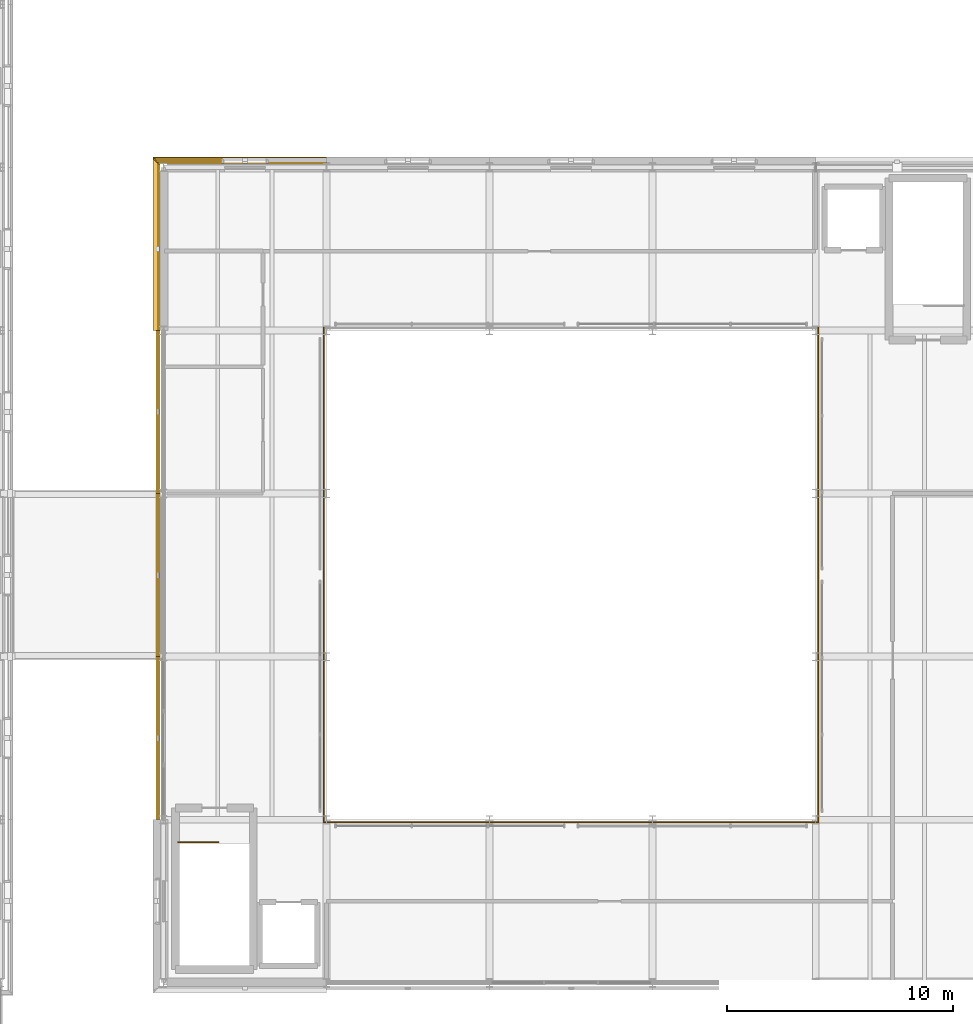
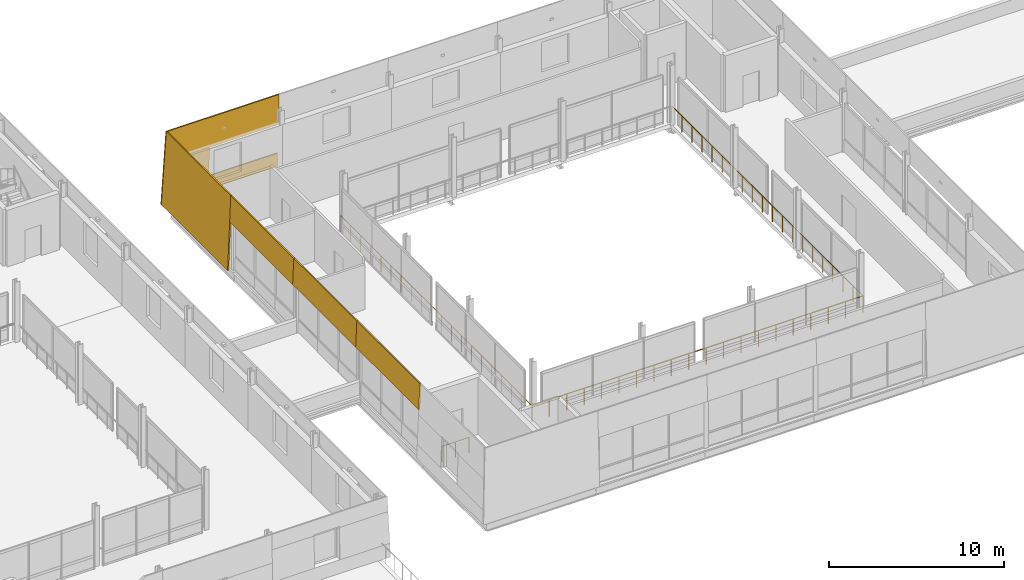
# One storey, part 86 of 91: 7 coverings, 4 railings.
"""IFC4 building model written with IfcOpenShell, lengths in metres."""

import ifcopenshell
import ifcopenshell.guid

model = None  # the IFC model being written
_history = None  # IfcOwnerHistory: only IFC2X3 demands one
_inside = {}  # id of a spatial element -> (the spatial element, [elements in it])
_under = {}  # id of a project, library or spatial element -> (it, [spatial elements below it])
_declared = {}  # id of a project -> (the project, [libraries it declares])
_typed = {}  # id of a type object -> (the type object, [elements of that type])
_made_of = {}  # id of a material, layer set ... -> (it, [elements and type objects made of it])


def new_model(schema):
    """Start an empty IFC model of exactly this schema.

    Asked for "IFC4X3", IfcOpenShell would pick the latest addendum, in which some entities
    have other attributes; the version numbers below select the first issue.
    IFC2X3 requires an IfcOwnerHistory on every rooted entity: one is made here for all.
    """
    global model, _history
    if schema == "IFC4X3":
        model = ifcopenshell.file(schema_version=(4, 3, 0, 0))
    else:
        model = ifcopenshell.file(schema=schema)
    _inside.clear()
    _under.clear()
    _declared.clear()
    _typed.clear()
    _made_of.clear()
    _history = None
    if model.schema == "IFC2X3":
        org = make("IfcOrganization", Name="unknown")
        user = make(
            "IfcPersonAndOrganization",
            ThePerson=make("IfcPerson", FamilyName="unknown"),
            TheOrganization=org,
        )
        app = make(
            "IfcApplication",
            ApplicationDeveloper=org,
            Version="unknown",
            ApplicationFullName="unknown",
            ApplicationIdentifier="unknown",
        )
        _history = make(
            "IfcOwnerHistory",
            OwningUser=user,
            OwningApplication=app,
            ChangeAction="ADDED",
            CreationDate=0,
        )
    return model


def make(cls, **values):
    """One entity of the class cls with the attributes given. An attribute that is None is left unset."""
    return model.create_entity(
        cls, **{name: value for name, value in values.items() if value is not None}
    )


def rooted(cls, **values):
    """An entity with a GlobalId (a new one), such as an element, a storey or a relation."""
    return make(cls, GlobalId=ifcopenshell.guid.new(), OwnerHistory=_history, **values)


def si_unit(unit_type, name, prefix=None):
    """IfcSIUnit, for example si_unit("LENGTHUNIT", "METRE", prefix="MILLI")."""
    return make("IfcSIUnit", UnitType=unit_type, Prefix=prefix, Name=name)


def assignment(units):
    """IfcUnitAssignment: the units of a project."""
    return None if units is None else make("IfcUnitAssignment", Units=units)


def point(xyz):
    """IfcCartesianPoint."""
    return None if xyz is None else make("IfcCartesianPoint", Coordinates=xyz)


def direction(xyz):
    """IfcDirection."""
    return None if xyz is None else make("IfcDirection", DirectionRatios=xyz)


def frame(location, z_axis=None, x_axis=None):
    """IfcAxis2Placement3D, a coordinate frame: its origin and axes. An axis left out is left unset."""
    return make(
        "IfcAxis2Placement3D",
        Location=point(location),
        Axis=direction(z_axis),
        RefDirection=direction(x_axis),
    )


def frame_2d(location, x_axis=None):
    """IfcAxis2Placement2D, a coordinate frame in the plane: its origin and x axis."""
    return make(
        "IfcAxis2Placement2D", Location=point(location), RefDirection=direction(x_axis)
    )


def origin():
    """The frame at (0, 0, 0) with its axes left unset."""
    return frame((0.0, 0.0, 0.0))


def origin_2d():
    """The frame at (0, 0) in the plane with its x axis left unset."""
    return frame_2d((0.0, 0.0))


def place(relative_to, where):
    """IfcLocalPlacement: puts the frame where relative to a parent placement (None: the world)."""
    return make(
        "IfcLocalPlacement", PlacementRelTo=relative_to, RelativePlacement=where
    )


def context(
    kind, dimensions, precision=None, world=None, true_north=None, identifier=None
):
    """IfcGeometricRepresentationContext, for example the 3D "Model" context."""
    return make(
        "IfcGeometricRepresentationContext",
        ContextIdentifier=identifier,
        ContextType=kind,
        CoordinateSpaceDimension=dimensions,
        Precision=precision,
        WorldCoordinateSystem=world,
        TrueNorth=true_north,
    )


def subcontext(parent, identifier, kind, view, scale=None):
    """IfcGeometricRepresentationSubContext, for example "Body" below "Model"."""
    return make(
        "IfcGeometricRepresentationSubContext",
        ContextIdentifier=identifier,
        ContextType=kind,
        ParentContext=parent,
        TargetScale=scale,
        TargetView=view,
    )


def project(units=None, contexts=None):
    """IfcProject with its units and contexts."""
    return rooted(
        "IfcProject",
        Name="project",
        RepresentationContexts=contexts,
        UnitsInContext=assignment(units),
    )


def spatial(cls, under=None, at=None, **own):
    """A site, building, storey or space (cls), placed at a placement, below another one or the project."""
    s = rooted(cls, ObjectPlacement=at, **own)
    if under is not None:
        _under.setdefault(under.id(), (under, []))[1].append(s)
    return s


def polyline(points):
    """IfcPolyline through the points."""
    return make("IfcPolyline", Points=[point(p) for p in points])


def profile(cls, at=None, kind="AREA", **sizes):
    """A parametric profile (cls). Its sizes go by their IFC names, for example OverallWidth=200.0."""
    return make(cls, ProfileType=kind, Position=at, **sizes)


def circle(**sizes):
    """IfcCircleProfileDef."""
    return profile("IfcCircleProfileDef", **sizes)


def outline(outer, holes=None, kind="AREA"):
    """IfcArbitraryClosedProfileDef: a profile drawn as a closed curve; with holes, ...WithVoids."""
    if holes is None:
        return make("IfcArbitraryClosedProfileDef", ProfileType=kind, OuterCurve=outer)
    return make(
        "IfcArbitraryProfileDefWithVoids",
        ProfileType=kind,
        OuterCurve=outer,
        InnerCurves=holes,
    )


def extrude(swept, where, along, depth):
    """IfcExtrudedAreaSolid: the profile swept, set in the frame where, extruded along a direction by depth."""
    return make(
        "IfcExtrudedAreaSolid",
        SweptArea=swept,
        Position=where,
        ExtrudedDirection=direction(along),
        Depth=depth,
    )


def shape(context_of_items, identifier, shape_type, items):
    """IfcShapeRepresentation: the items that make up one representation, for example the "Body"."""
    return make(
        "IfcShapeRepresentation",
        ContextOfItems=context_of_items,
        RepresentationIdentifier=identifier,
        RepresentationType=shape_type,
        Items=items,
    )


def material(Name=None, Category=None):
    """IfcMaterial."""
    return make("IfcMaterial", Name=Name, Category=Category)


def layer(
    of_material, thickness, ventilated=None, Name=None, Category=None, Priority=None
):
    """IfcMaterialLayer: one layer of a wall or slab, of a material (None: an air gap)."""
    return make(
        "IfcMaterialLayer",
        Material=of_material,
        LayerThickness=thickness,
        IsVentilated=ventilated,
        Name=Name,
        Category=Category,
        Priority=Priority,
    )


def layer_set(layers, Name=None):
    """IfcMaterialLayerSet."""
    return make("IfcMaterialLayerSet", MaterialLayers=layers, LayerSetName=Name)


def made_of(thing, what):
    """Note that an element or type object is made of a material, layer set ...; save() writes the relation."""
    if what is not None:
        _made_of.setdefault(what.id(), (what, []))[1].append(thing)
    return thing


def type_object(cls, material=None, **own):
    """A type object (cls), such as IfcWallType, which elements share."""
    return made_of(rooted(cls, **own), material)


def element(
    cls,
    number,
    at=None,
    inside=None,
    cuts=None,
    type_object=None,
    material=None,
    context=None,
    identifier="Body",
    shape_type=None,
    held_by="IfcProductDefinitionShape",
    body=None,
    shapes=None,
    **own,
):
    """One element of the class cls, such as IfcWall. Its Tag is "e" and its number.

    at: its placement. inside: the storey or other place that contains it. cuts: it is an
    opening in that element (IfcRelVoidsElement). A single representation is given by context,
    identifier, shape_type and body (its items); several are given by shapes. held_by: the class
    of the entity that holds the representations. save() writes the other relations.
    """
    e = rooted(cls, Tag="e%d" % number, ObjectPlacement=at, **own)
    if body is not None:
        shapes = [shape(context, identifier, shape_type, body)]
    if shapes is not None:
        e.Representation = make(held_by, Representations=shapes)
    if inside is not None:
        _inside.setdefault(inside.id(), (inside, []))[1].append(e)
    if cuts is not None:
        rooted(
            "IfcRelVoidsElement", RelatingBuildingElement=cuts, RelatedOpeningElement=e
        )
    if type_object is not None:
        _typed.setdefault(type_object.id(), (type_object, []))[1].append(e)
    return made_of(e, material)


def aggregate(whole, parts):
    """IfcRelAggregates: a whole, such as a stair, and the parts it consists of."""
    return rooted("IfcRelAggregates", RelatingObject=whole, RelatedObjects=parts)


def save(model, path):
    """Write the relations noted so far, then the file.

    IfcRelAggregates (storeys below a building ...), IfcRelContainedInSpatialStructure (elements
    in a storey), IfcRelDefinesByType, IfcRelAssociatesMaterial and IfcRelDeclares: one each for
    every whole, place, type object, material and project.
    """
    for whole, parts in _under.values():
        aggregate(whole, parts)
    for where, things in _inside.values():
        rooted(
            "IfcRelContainedInSpatialStructure",
            RelatedElements=things,
            RelatingStructure=where,
        )
    for kind, things in _typed.values():
        rooted("IfcRelDefinesByType", RelatedObjects=things, RelatingType=kind)
    for what, things in _made_of.values():
        rooted("IfcRelAssociatesMaterial", RelatedObjects=things, RelatingMaterial=what)
    for by, libraries in _declared.values():
        rooted("IfcRelDeclares", RelatingContext=by, RelatedDefinitions=libraries)
    model.write(path)


model = new_model("IFC4")

# Units and contexts
model_context = context("Model", 3, precision=1e-05, world=origin(), true_north=direction((0.0, 1.0)))
body_context = subcontext(model_context, "Body", "Model", "MODEL_VIEW")
ifc_project = project(units=[si_unit("LENGTHUNIT", "METRE"), si_unit("AREAUNIT", "SQUARE_METRE"), si_unit("VOLUMEUNIT", "CUBIC_METRE"), si_unit("PLANEANGLEUNIT", "RADIAN"), si_unit("MASSUNIT", "GRAM", prefix="KILO")], contexts=[model_context])

# Site, building, storey
site_placement = place(None, origin())
site = spatial("IfcSite", under=ifc_project, at=site_placement, CompositionType="ELEMENT")
building_placement = place(site_placement, origin())
building = spatial("IfcBuilding", under=site, at=building_placement, Name="Narikvali Park Central Library", CompositionType="ELEMENT")
storey_placement = place(building_placement, frame((0.0, 0.0, 14.39990234375)))
storey = spatial("IfcBuildingStorey", under=building, at=storey_placement, Name="L03", CompositionType="ELEMENT", Elevation=14.39990234375)

# Railings
ifc_material_1 = material(Name="Laminated Tempered Glass and Stainless Steel", Category="steel")
ifc_layer_1 = layer(ifc_material_1, 0.06005859375, Name="Laminated Tempered Glass and Stainless Steel")
ifc_layer_set_1 = layer_set([ifc_layer_1], Name="Laminated Tempered Glass and Stainless Steel")
railing_type_1 = type_object("IfcRailingType", Name="Atrium Void Tempered Glass Guardrail 1150", PredefinedType="GUARDRAIL", material=ifc_layer_set_1)
railing_1_placement = place(storey_placement, frame((71.8798828125, 64.679931640625, 0.0)))
element("IfcRailing", 1, at=railing_1_placement, inside=storey, type_object=railing_type_1, Name="V1 L03 Void Edge Guardrail S", PredefinedType="GUARDRAIL", context=body_context, shape_type="SweptSolid", body=[
    extrude(circle(Radius=0.02392578125, at=origin_2d()), frame((0.0, 0.0, 1.1259765625), z_axis=(1.0, 0.0, 0.0), x_axis=(0.0, 1.0, 0.0)), (0.0, 0.0, 1.0), 21.840087890625),
    extrude(circle(Radius=0.02099609375, at=origin_2d()), origin(), (0.0, 0.0, 1.0), 1.101806640625),
    extrude(circle(Radius=0.02099609375, at=origin_2d()), frame((1.1494140625, 0.0, 0.0)), (0.0, 0.0, 1.0), 1.101806640625),
    extrude(circle(Radius=0.02099609375, at=origin_2d()), frame((2.299072265625, 0.0, 0.0)), (0.0, 0.0, 1.0), 1.101806640625),
    extrude(circle(Radius=0.02099609375, at=origin_2d()), frame((3.448486328125, 0.0, 0.0)), (0.0, 0.0, 1.0), 1.101806640625),
    extrude(circle(Radius=0.02099609375, at=origin_2d()), frame((4.597900390625, 0.0, 0.0)), (0.0, 0.0, 1.0), 1.101806640625),
    extrude(circle(Radius=0.02099609375, at=origin_2d()), frame((5.747314453125, 0.0, 0.0)), (0.0, 0.0, 1.0), 1.101806640625),
    extrude(circle(Radius=0.02099609375, at=origin_2d()), frame((6.89697265625, 0.0, 0.0)), (0.0, 0.0, 1.0), 1.101806640625),
    extrude(circle(Radius=0.02099609375, at=origin_2d()), frame((8.04638671875, 0.0, 0.0)), (0.0, 0.0, 1.0), 1.101806640625),
    extrude(circle(Radius=0.02099609375, at=origin_2d()), frame((9.19580078125, 0.0, 0.0)), (0.0, 0.0, 1.0), 1.101806640625),
    extrude(circle(Radius=0.02099609375, at=origin_2d()), frame((10.34521484375, 0.0, 0.0)), (0.0, 0.0, 1.0), 1.101806640625),
    extrude(circle(Radius=0.02099609375, at=origin_2d()), frame((11.494873046875, 0.0, 0.0)), (0.0, 0.0, 1.0), 1.101806640625),
    extrude(circle(Radius=0.02099609375, at=origin_2d()), frame((12.644287109375, 0.0, 0.0)), (0.0, 0.0, 1.0), 1.101806640625),
    extrude(circle(Radius=0.02099609375, at=origin_2d()), frame((13.793701171875, 0.0, 0.0)), (0.0, 0.0, 1.0), 1.101806640625),
    extrude(circle(Radius=0.02099609375, at=origin_2d()), frame((14.943115234375, 0.0, 0.0)), (0.0, 0.0, 1.0), 1.101806640625),
    extrude(circle(Radius=0.02099609375, at=origin_2d()), frame((16.0927734375, 0.0, 0.0)), (0.0, 0.0, 1.0), 1.101806640625),
    extrude(circle(Radius=0.02099609375, at=origin_2d()), frame((17.2421875, 0.0, 0.0)), (0.0, 0.0, 1.0), 1.101806640625),
    extrude(circle(Radius=0.02099609375, at=origin_2d()), frame((18.3916015625, 0.0, 0.0)), (0.0, 0.0, 1.0), 1.101806640625),
    extrude(circle(Radius=0.02099609375, at=origin_2d()), frame((19.541015625, 0.0, 0.0)), (0.0, 0.0, 1.0), 1.101806640625),
    extrude(circle(Radius=0.02099609375, at=origin_2d()), frame((20.690673828125, 0.0, 0.0)), (0.0, 0.0, 1.0), 1.101806640625),
    extrude(circle(Radius=0.02099609375, at=origin_2d()), frame((21.840087890625, 0.0, 0.0)), (0.0, 0.0, 1.0), 1.101806640625),
])
railing_2_placement = place(storey_placement, frame((93.719970703125, 64.679931640625, 0.0)))
element("IfcRailing", 2, at=railing_2_placement, inside=storey, type_object=railing_type_1, Name="V1 L03 Void Edge Guardrail E", PredefinedType="GUARDRAIL", context=body_context, shape_type="SweptSolid", body=[
    extrude(circle(Radius=0.02392578125, at=origin_2d()), frame((0.0, 0.0, 1.1259765625), z_axis=(0.0, 1.0, 0.0), x_axis=(-1.0, 0.0, 0.0)), (0.0, 0.0, 1.0), 21.840087890625),
    extrude(circle(Radius=0.02099609375, at=origin_2d()), origin(), (0.0, 0.0, 1.0), 1.101806640625),
    extrude(circle(Radius=0.02099609375, at=origin_2d()), frame((0.0, 1.1494140625, 0.0)), (0.0, 0.0, 1.0), 1.101806640625),
    extrude(circle(Radius=0.02099609375, at=origin_2d()), frame((0.0, 2.299072265625, 0.0)), (0.0, 0.0, 1.0), 1.101806640625),
    extrude(circle(Radius=0.02099609375, at=origin_2d()), frame((0.0, 3.448486328125, 0.0)), (0.0, 0.0, 1.0), 1.101806640625),
    extrude(circle(Radius=0.02099609375, at=origin_2d()), frame((0.0, 4.597900390625, 0.0)), (0.0, 0.0, 1.0), 1.101806640625),
    extrude(circle(Radius=0.02099609375, at=origin_2d()), frame((0.0, 5.747314453125, 0.0)), (0.0, 0.0, 1.0), 1.101806640625),
    extrude(circle(Radius=0.02099609375, at=origin_2d()), frame((0.0, 6.89697265625, 0.0)), (0.0, 0.0, 1.0), 1.101806640625),
    extrude(circle(Radius=0.02099609375, at=origin_2d()), frame((0.0, 8.04638671875, 0.0)), (0.0, 0.0, 1.0), 1.101806640625),
    extrude(circle(Radius=0.02099609375, at=origin_2d()), frame((0.0, 9.19580078125, 0.0)), (0.0, 0.0, 1.0), 1.101806640625),
    extrude(circle(Radius=0.02099609375, at=origin_2d()), frame((0.0, 10.34521484375, 0.0)), (0.0, 0.0, 1.0), 1.101806640625),
    extrude(circle(Radius=0.02099609375, at=origin_2d()), frame((0.0, 11.494873046875, 0.0)), (0.0, 0.0, 1.0), 1.101806640625),
    extrude(circle(Radius=0.02099609375, at=origin_2d()), frame((0.0, 12.644287109375, 0.0)), (0.0, 0.0, 1.0), 1.101806640625),
    extrude(circle(Radius=0.02099609375, at=origin_2d()), frame((0.0, 13.793701171875, 0.0)), (0.0, 0.0, 1.0), 1.101806640625),
    extrude(circle(Radius=0.02099609375, at=origin_2d()), frame((0.0, 14.943115234375, 0.0)), (0.0, 0.0, 1.0), 1.101806640625),
    extrude(circle(Radius=0.02099609375, at=origin_2d()), frame((0.0, 16.0927734375, 0.0)), (0.0, 0.0, 1.0), 1.101806640625),
    extrude(circle(Radius=0.02099609375, at=origin_2d()), frame((0.0, 17.2421875, 0.0)), (0.0, 0.0, 1.0), 1.101806640625),
    extrude(circle(Radius=0.02099609375, at=origin_2d()), frame((0.0, 18.3916015625, 0.0)), (0.0, 0.0, 1.0), 1.101806640625),
    extrude(circle(Radius=0.02099609375, at=origin_2d()), frame((0.0, 19.541015625, 0.0)), (0.0, 0.0, 1.0), 1.101806640625),
    extrude(circle(Radius=0.02099609375, at=origin_2d()), frame((0.0, 20.690673828125, 0.0)), (0.0, 0.0, 1.0), 1.101806640625),
    extrude(circle(Radius=0.02099609375, at=origin_2d()), frame((0.0, 21.840087890625, 0.0)), (0.0, 0.0, 1.0), 1.101806640625),
])
railing_3_placement = place(storey_placement, frame((71.8798828125, 86.52001953125, 0.0)))
element("IfcRailing", 3, at=railing_3_placement, inside=storey, type_object=railing_type_1, Name="V1 L03 Void Edge Guardrail W", PredefinedType="GUARDRAIL", context=body_context, shape_type="SweptSolid", body=[
    extrude(circle(Radius=0.02392578125, at=origin_2d()), frame((0.0, 0.0, 1.1259765625), z_axis=(0.0, -1.0, 0.0), x_axis=(1.0, 0.0, 0.0)), (0.0, 0.0, 1.0), 21.840087890625),
    extrude(circle(Radius=0.02099609375, at=origin_2d()), origin(), (0.0, 0.0, 1.0), 1.101806640625),
    extrude(circle(Radius=0.02099609375, at=origin_2d()), frame((0.0, -1.1494140625, 0.0)), (0.0, 0.0, 1.0), 1.101806640625),
    extrude(circle(Radius=0.02099609375, at=origin_2d()), frame((0.0, -2.299072265625, 0.0)), (0.0, 0.0, 1.0), 1.101806640625),
    extrude(circle(Radius=0.02099609375, at=origin_2d()), frame((0.0, -3.448486328125, 0.0)), (0.0, 0.0, 1.0), 1.101806640625),
    extrude(circle(Radius=0.02099609375, at=origin_2d()), frame((0.0, -4.597900390625, 0.0)), (0.0, 0.0, 1.0), 1.101806640625),
    extrude(circle(Radius=0.02099609375, at=origin_2d()), frame((0.0, -5.747314453125, 0.0)), (0.0, 0.0, 1.0), 1.101806640625),
    extrude(circle(Radius=0.02099609375, at=origin_2d()), frame((0.0, -6.89697265625, 0.0)), (0.0, 0.0, 1.0), 1.101806640625),
    extrude(circle(Radius=0.02099609375, at=origin_2d()), frame((0.0, -8.04638671875, 0.0)), (0.0, 0.0, 1.0), 1.101806640625),
    extrude(circle(Radius=0.02099609375, at=origin_2d()), frame((0.0, -9.19580078125, 0.0)), (0.0, 0.0, 1.0), 1.101806640625),
    extrude(circle(Radius=0.02099609375, at=origin_2d()), frame((0.0, -10.34521484375, 0.0)), (0.0, 0.0, 1.0), 1.101806640625),
    extrude(circle(Radius=0.02099609375, at=origin_2d()), frame((0.0, -11.494873046875, 0.0)), (0.0, 0.0, 1.0), 1.101806640625),
    extrude(circle(Radius=0.02099609375, at=origin_2d()), frame((0.0, -12.644287109375, 0.0)), (0.0, 0.0, 1.0), 1.101806640625),
    extrude(circle(Radius=0.02099609375, at=origin_2d()), frame((0.0, -13.793701171875, 0.0)), (0.0, 0.0, 1.0), 1.101806640625),
    extrude(circle(Radius=0.02099609375, at=origin_2d()), frame((0.0, -14.943115234375, 0.0)), (0.0, 0.0, 1.0), 1.101806640625),
    extrude(circle(Radius=0.02099609375, at=origin_2d()), frame((0.0, -16.0927734375, 0.0)), (0.0, 0.0, 1.0), 1.101806640625),
    extrude(circle(Radius=0.02099609375, at=origin_2d()), frame((0.0, -17.2421875, 0.0)), (0.0, 0.0, 1.0), 1.101806640625),
    extrude(circle(Radius=0.02099609375, at=origin_2d()), frame((0.0, -18.3916015625, 0.0)), (0.0, 0.0, 1.0), 1.101806640625),
    extrude(circle(Radius=0.02099609375, at=origin_2d()), frame((0.0, -19.541015625, 0.0)), (0.0, 0.0, 1.0), 1.101806640625),
    extrude(circle(Radius=0.02099609375, at=origin_2d()), frame((0.0, -20.690673828125, 0.0)), (0.0, 0.0, 1.0), 1.101806640625),
    extrude(circle(Radius=0.02099609375, at=origin_2d()), frame((0.0, -21.840087890625, 0.0)), (0.0, 0.0, 1.0), 1.101806640625),
])

# Coverings
ifc_material_2 = material(Name="White Honed Limestone Cladding", Category="masonry")
ifc_layer_2 = layer(ifc_material_2, 0.0849609375, Name="White Honed Limestone Cladding")
ifc_layer_set_2 = layer_set([ifc_layer_2], Name="White Honed Limestone Cladding")
covering_type = type_object("IfcCoveringType", Name="Battered White Limestone Facade Cladding Panel", PredefinedType="CLADDING", material=ifc_layer_set_2)
covering_1_placement = place(storey_placement, frame((72.0, 94.05078125, 0.0), z_axis=(0.0, 0.999166557991, 0.040818983227), x_axis=(-1.0, 0.0, 0.0)))
element("IfcCovering", 4, at=covering_1_placement, inside=storey, type_object=covering_type, Name="V1 L03 N Battered Limestone Spandrel B05", PredefinedType="CLADDING", context=body_context, shape_type="SweptSolid", body=[
    extrude(outline(polyline([(0.0, 0.0), (7.650634765625, 0.0), (7.61181640625, 0.9509879057703833), (0.0, 0.9509879057703833), (0.0, 0.0)])), origin(), (0.0, 0.0, -1.0), 0.0849609375),
])
covering_2_placement = place(storey_placement, frame((72.0, 93.927978515625, 3.0), z_axis=(0.0, 0.999165598292, 0.040842467967), x_axis=(-1.0, 0.0, 0.0)))
element("IfcCovering", 5, at=covering_2_placement, inside=storey, type_object=covering_type, Name="V1 L03 N Battered Limestone Lintel B05", PredefinedType="CLADDING", context=body_context, shape_type="SweptSolid", body=[
    extrude(outline(polyline([(0.0, 0.0), (7.528076171875, 0.0), (7.43994140625, 2.151942068512315), (0.0, 2.151942068512315), (0.0, 0.0)])), origin(), (0.0, 0.0, -1.0), 0.0849609375),
])
covering_3_placement = place(storey_placement, frame((67.4599609375, 94.011962890625, 0.9501953125), z_axis=(0.0, 0.99916170734, 0.040937544941), x_axis=(-1.0, 0.0, 0.0)))
element("IfcCovering", 6, at=covering_3_placement, inside=storey, type_object=covering_type, Name="V1 L03 N Battered Limestone Jamb Pier R B05", PredefinedType="CLADDING", context=body_context, shape_type="SweptSolid", body=[
    extrude(outline(polyline([(0.0, 0.0), (3.07177734375, 0.0), (2.988037109375, 2.0515244654015494), (0.0, 2.0515244654015494), (0.0, 0.0)])), origin(), (0.0, 0.0, -1.0), 0.0849609375),
])
covering_4_placement = place(storey_placement, frame((64.349365234375, 93.9658203125, 0.0), z_axis=(-0.999164228006, 0.0, 0.040875976713), x_axis=(0.0, -1.0, 0.0)))
element("IfcCovering", 7, at=covering_4_placement, inside=storey, type_object=covering_type, Name="V1 L03 W Battered Limestone Panel B01", PredefinedType="CLADDING", context=body_context, shape_type="SweptSolid", body=[
    extrude(outline(polyline([(0.0, 0.0), (7.56591796875, 0.0), (7.56591796875, 5.1544544330321616), (0.2109375, 5.1544544330321616), (0.0, 0.0)])), origin(), (0.0, 0.0, -1.0), 0.0849609375),
])
for number, where, z_axis, x_axis, name in (
    (8, (64.48583984375, 86.39990234375, 3.340087890625), (-0.999160414752, 0.0, 0.040969080939), (0.0, -1.0, 0.0), "V1 L03 W Battered Limestone Spandrel Header B02"),
    (9, (64.48583984375, 79.199951171875, 3.340087890625), (-0.999160414752, 0.0, 0.040969080939), (0.0, -1.0, 0.0), "V1 L03 W Battered Limestone Spandrel Header B03"),
    (10, (64.48583984375, 72.0, 3.340087890625), (-0.999160414752, 0.0, 0.040969080939), (0.0, -1.0, 0.0), "V1 L03 W Battered Limestone Spandrel Header B04"),
):
    element("IfcCovering", number, at=place(storey_placement, frame(where, z_axis=z_axis, x_axis=x_axis)), inside=storey, type_object=covering_type, Name=name, PredefinedType="CLADDING", context=body_context, shape_type="SweptSolid", body=[
        extrude(outline(polyline([(0.0, 0.0), (7.199951171875, 0.0), (7.199951171875, 1.8115795692322738), (0.0, 1.8115795692322738), (0.0, 0.0)])), origin(), (0.0, 0.0, -1.0), 0.0849609375),
    ])

# Railing
ifc_material_3 = material(Name="Powder-Coated Steel S275", Category="steel")
ifc_layer_3 = layer(ifc_material_3, 0.050048828125, Name="Powder-Coated Steel S275")
ifc_layer_set_3 = layer_set([ifc_layer_3], Name="Powder-Coated Steel S275")
railing_type_2 = type_object("IfcRailingType", Name="Stair Well Steel Guardrail 1100", PredefinedType="GUARDRAIL", material=ifc_layer_set_3)
railing_4_placement = place(storey_placement, frame((65.449951171875, 63.800048828125, 0.0)))
element("IfcRailing", 11, at=railing_4_placement, inside=storey, type_object=railing_type_2, Name="L03 ST-01 top well guard 1", PredefinedType="GUARDRAIL", context=body_context, shape_type="SweptSolid", body=[
    extrude(circle(Radius=0.02392578125, at=origin_2d()), frame((0.0, 0.0, 1.076171875), z_axis=(1.0, 0.0, 0.0), x_axis=(0.0, 1.0, 0.0)), (0.0, 0.0, 1.0), 1.780029296875),
    extrude(circle(Radius=0.02099609375, at=origin_2d()), origin(), (0.0, 0.0, 1.0), 1.052001953125),
    extrude(circle(Radius=0.02099609375, at=origin_2d()), frame((0.89013671875, 0.0, 0.0)), (0.0, 0.0, 1.0), 1.052001953125),
    extrude(circle(Radius=0.02099609375, at=origin_2d()), frame((1.780029296875, 0.0, 0.0)), (0.0, 0.0, 1.0), 1.052001953125),
])

save(model, "model.ifc")
